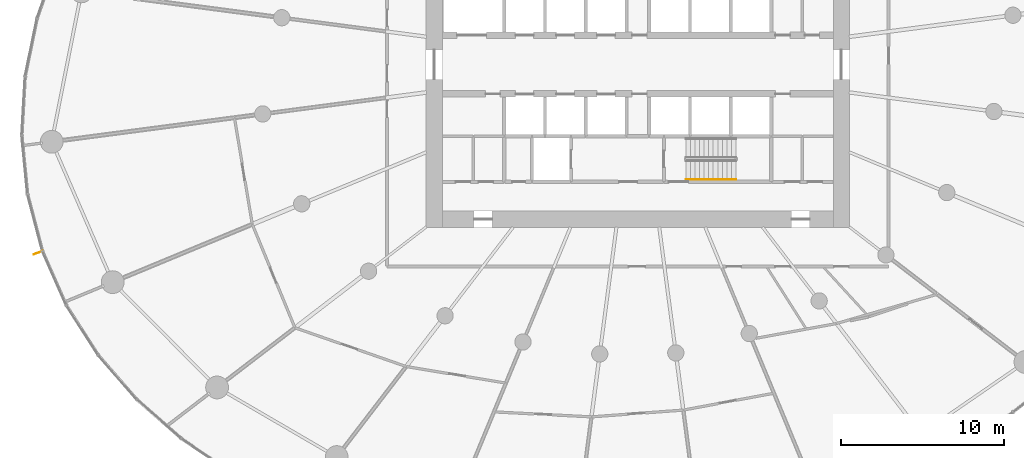
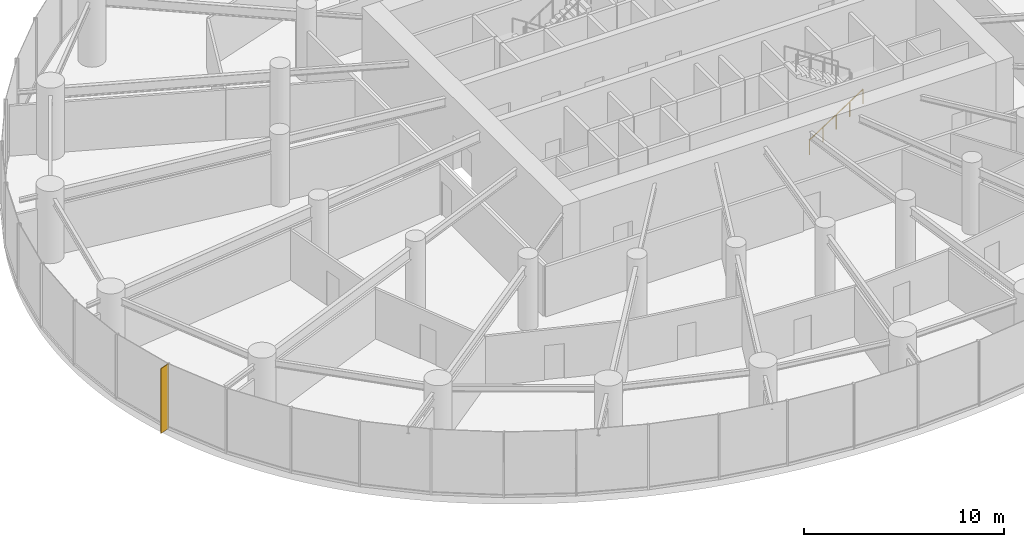
# One storey, part 16 of 18: 1 railing, 1 shading device.
"""IFC4 building model written with IfcOpenShell, lengths in metres."""

from ifc_helpers import new_model, si_unit, direction, frame, origin, origin_2d, place, context, subcontext, project, spatial, rectangle, circle, extrude, source, transform, mapped, material, material_profile, profile_set, type_object, element, save


model = new_model("IFC4")

# Units and contexts
model_context = context("Model", 3, precision=1e-05, world=origin(), true_north=direction((0.0, 1.0)))
body_context = subcontext(model_context, "Body", "Model", "MODEL_VIEW")
ifc_project = project(units=[si_unit("LENGTHUNIT", "METRE"), si_unit("AREAUNIT", "SQUARE_METRE"), si_unit("VOLUMEUNIT", "CUBIC_METRE"), si_unit("PLANEANGLEUNIT", "RADIAN"), si_unit("MASSUNIT", "GRAM", prefix="KILO")], contexts=[model_context])

# Site, building, storey
site_placement = place(None, origin())
site = spatial("IfcSite", under=ifc_project, at=site_placement, CompositionType="ELEMENT")
building_placement = place(site_placement, origin())
building = spatial("IfcBuilding", under=site, at=building_placement, Name="Spindrift Exchange Tower", CompositionType="ELEMENT")
storey_placement = place(building_placement, frame((0.0, 0.0, 66.60009765625)))
storey = spatial("IfcBuildingStorey", under=building, at=storey_placement, Name="L15", CompositionType="ELEMENT", Elevation=66.60009765625)

# Railing
ifc_material_1 = material(Name="Steel tubular handrail", Category="steel")
railing_type = type_object("IfcRailingType", Name="RL-STAIR-HAND", PredefinedType="HANDRAIL", material=ifc_material_1)
railing_placement = place(storey_placement, frame((54.949951171875, 40.949951171875, 0.183349609375)))
element("IfcRailing", 1, at=railing_placement, inside=storey, type_object=railing_type, Name="L15 ST2 stair handrail 1", PredefinedType="HANDRAIL", context=body_context, shape_type="SweptSolid", body=[
    extrude(circle(Radius=0.02392578125, at=origin_2d()), frame((0.0, 0.0, 0.8759765625), z_axis=(0.836633000464, 0.0, 0.547763838287), x_axis=(0.0, 1.0, 0.0)), (0.0, 0.0, 1.0), 3.681396484375),
    extrude(circle(Radius=0.02099609375, at=origin_2d()), origin(), (0.0, 0.0, 1.0), 0.851806640625),
    extrude(circle(Radius=0.02099609375, at=origin_2d()), frame((0.77001953125, 0.0, 0.504150390625)), (0.0, 0.0, 1.0), 0.851806640625),
    extrude(circle(Radius=0.02099609375, at=origin_2d()), frame((1.5400390625, 0.0, 1.00830078125)), (0.0, 0.0, 1.0), 0.851806640625),
    extrude(circle(Radius=0.02099609375, at=origin_2d()), frame((2.31005859375, 0.0, 1.512451171875)), (0.0, 0.0, 1.0), 0.851806640625),
    extrude(circle(Radius=0.02099609375, at=origin_2d()), frame((3.080078125, 0.0, 2.0166015625)), (0.0, 0.0, 1.0), 0.851806640625),
])

# Shading device
ifc_material_2 = material(Name="Bronze anodised aluminium", Category="aluminium")
ifc_material_profile = material_profile(ifc_material_2, rectangle(XDim=0.030029296875, YDim=0.60009765625, at=origin_2d()), Name="WIND FIN 30X600")
ifc_profile_set = profile_set([ifc_material_profile], Name="Bronze anodised aluminium")
shading_device_type = type_object("IfcShadingDeviceType", Name="WIND FIN 30X600", PredefinedType="USERDEFINED", material=ifc_profile_set)
shared_shape = source(origin(), body_context, "Body", "SweptSolid", [
    extrude(rectangle(XDim=0.030029296875, YDim=0.60009765625, at=origin_2d()), origin(), (0.0, 0.0, 1.0), 3.949951171875),
])
shading_device_placement = place(storey_placement, frame((15.179443359375, 36.447509765625, 0.0), z_axis=(0.0, 0.0, 1.0), x_axis=(0.329654394604, -0.944101678909, 0.0)))
element("IfcShadingDevice", 2, at=shading_device_placement, inside=storey, type_object=shading_device_type, Name="L15 wind fin 1", ObjectType="FIN", PredefinedType="USERDEFINED", context=body_context, shape_type="MappedRepresentation", body=[
    mapped(shared_shape, transform((0.0, 0.0, 0.0), scale=1.0)),
])

save(model, "model.ifc")
